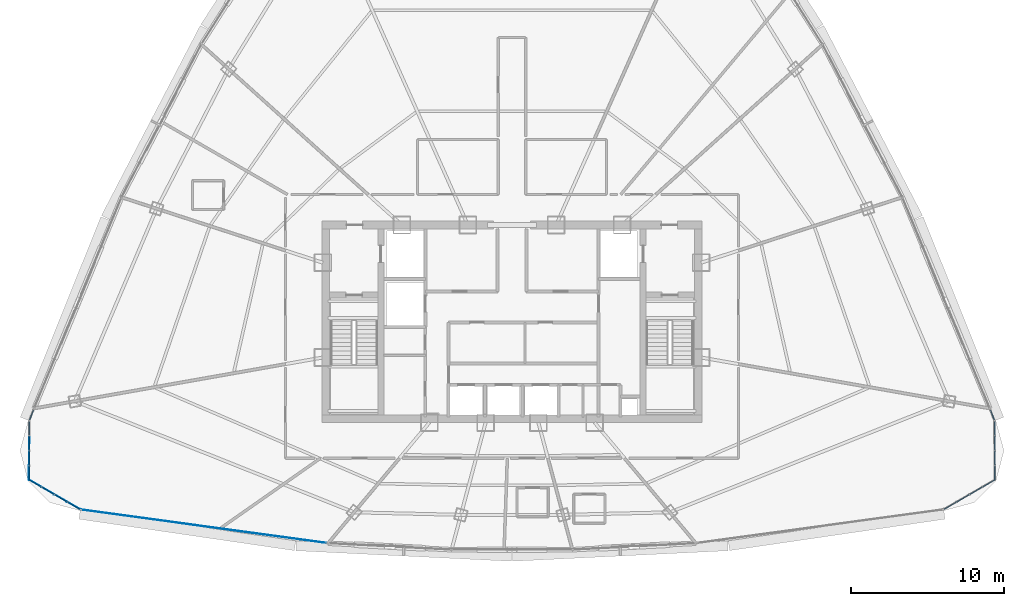
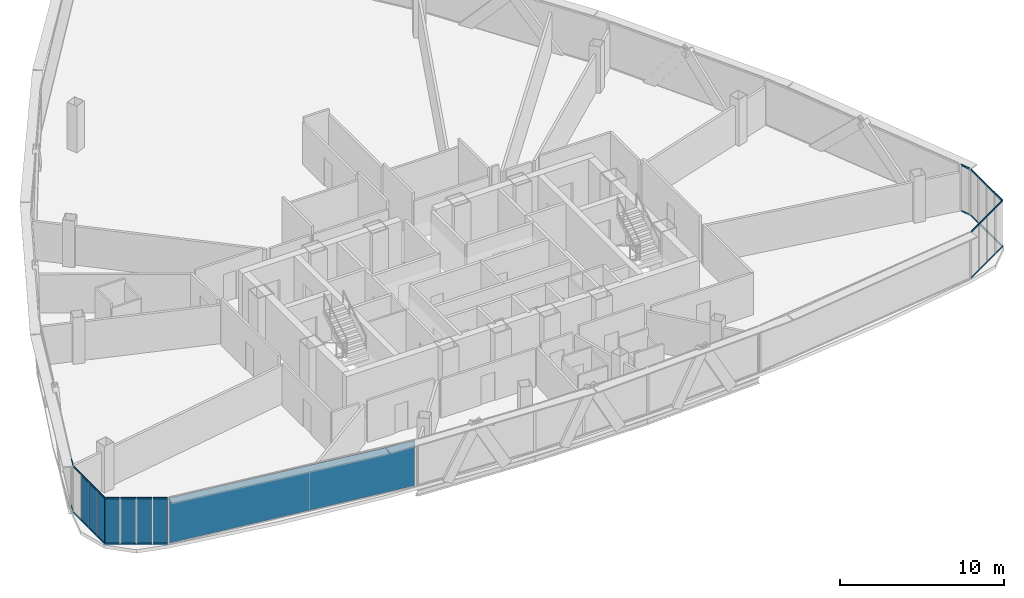
# One storey, part 29 of 40: 36 members, 8 plates, 7 elements without a shape of their own.
"""IFC4 building model written with IfcOpenShell, lengths in metres."""

import ifcopenshell
import ifcopenshell.guid

model = None  # the IFC model being written
_history = None  # IfcOwnerHistory: only IFC2X3 demands one
_inside = {}  # id of a spatial element -> (the spatial element, [elements in it])
_under = {}  # id of a project, library or spatial element -> (it, [spatial elements below it])
_declared = {}  # id of a project -> (the project, [libraries it declares])
_typed = {}  # id of a type object -> (the type object, [elements of that type])
_made_of = {}  # id of a material, layer set ... -> (it, [elements and type objects made of it])


def new_model(schema):
    """Start an empty IFC model of exactly this schema.

    Asked for "IFC4X3", IfcOpenShell would pick the latest addendum, in which some entities
    have other attributes; the version numbers below select the first issue.
    IFC2X3 requires an IfcOwnerHistory on every rooted entity: one is made here for all.
    """
    global model, _history
    if schema == "IFC4X3":
        model = ifcopenshell.file(schema_version=(4, 3, 0, 0))
    else:
        model = ifcopenshell.file(schema=schema)
    _inside.clear()
    _under.clear()
    _declared.clear()
    _typed.clear()
    _made_of.clear()
    _history = None
    if model.schema == "IFC2X3":
        org = make("IfcOrganization", Name="unknown")
        user = make(
            "IfcPersonAndOrganization",
            ThePerson=make("IfcPerson", FamilyName="unknown"),
            TheOrganization=org,
        )
        app = make(
            "IfcApplication",
            ApplicationDeveloper=org,
            Version="unknown",
            ApplicationFullName="unknown",
            ApplicationIdentifier="unknown",
        )
        _history = make(
            "IfcOwnerHistory",
            OwningUser=user,
            OwningApplication=app,
            ChangeAction="ADDED",
            CreationDate=0,
        )
    return model


def make(cls, **values):
    """One entity of the class cls with the attributes given. An attribute that is None is left unset."""
    return model.create_entity(
        cls, **{name: value for name, value in values.items() if value is not None}
    )


def rooted(cls, **values):
    """An entity with a GlobalId (a new one), such as an element, a storey or a relation."""
    return make(cls, GlobalId=ifcopenshell.guid.new(), OwnerHistory=_history, **values)


def si_unit(unit_type, name, prefix=None):
    """IfcSIUnit, for example si_unit("LENGTHUNIT", "METRE", prefix="MILLI")."""
    return make("IfcSIUnit", UnitType=unit_type, Prefix=prefix, Name=name)


def assignment(units):
    """IfcUnitAssignment: the units of a project."""
    return None if units is None else make("IfcUnitAssignment", Units=units)


def point(xyz):
    """IfcCartesianPoint."""
    return None if xyz is None else make("IfcCartesianPoint", Coordinates=xyz)


def direction(xyz):
    """IfcDirection."""
    return None if xyz is None else make("IfcDirection", DirectionRatios=xyz)


def frame(location, z_axis=None, x_axis=None):
    """IfcAxis2Placement3D, a coordinate frame: its origin and axes. An axis left out is left unset."""
    return make(
        "IfcAxis2Placement3D",
        Location=point(location),
        Axis=direction(z_axis),
        RefDirection=direction(x_axis),
    )


def frame_2d(location, x_axis=None):
    """IfcAxis2Placement2D, a coordinate frame in the plane: its origin and x axis."""
    return make(
        "IfcAxis2Placement2D", Location=point(location), RefDirection=direction(x_axis)
    )


def origin():
    """The frame at (0, 0, 0) with its axes left unset."""
    return frame((0.0, 0.0, 0.0))


def origin_2d():
    """The frame at (0, 0) in the plane with its x axis left unset."""
    return frame_2d((0.0, 0.0))


def place(relative_to, where):
    """IfcLocalPlacement: puts the frame where relative to a parent placement (None: the world)."""
    return make(
        "IfcLocalPlacement", PlacementRelTo=relative_to, RelativePlacement=where
    )


def context(
    kind, dimensions, precision=None, world=None, true_north=None, identifier=None
):
    """IfcGeometricRepresentationContext, for example the 3D "Model" context."""
    return make(
        "IfcGeometricRepresentationContext",
        ContextIdentifier=identifier,
        ContextType=kind,
        CoordinateSpaceDimension=dimensions,
        Precision=precision,
        WorldCoordinateSystem=world,
        TrueNorth=true_north,
    )


def subcontext(parent, identifier, kind, view, scale=None):
    """IfcGeometricRepresentationSubContext, for example "Body" below "Model"."""
    return make(
        "IfcGeometricRepresentationSubContext",
        ContextIdentifier=identifier,
        ContextType=kind,
        ParentContext=parent,
        TargetScale=scale,
        TargetView=view,
    )


def project(units=None, contexts=None):
    """IfcProject with its units and contexts."""
    return rooted(
        "IfcProject",
        Name="project",
        RepresentationContexts=contexts,
        UnitsInContext=assignment(units),
    )


def spatial(cls, under=None, at=None, **own):
    """A site, building, storey or space (cls), placed at a placement, below another one or the project."""
    s = rooted(cls, ObjectPlacement=at, **own)
    if under is not None:
        _under.setdefault(under.id(), (under, []))[1].append(s)
    return s


def profile(cls, at=None, kind="AREA", **sizes):
    """A parametric profile (cls). Its sizes go by their IFC names, for example OverallWidth=200.0."""
    return make(cls, ProfileType=kind, Position=at, **sizes)


def rectangle(**sizes):
    """IfcRectangleProfileDef."""
    return profile("IfcRectangleProfileDef", **sizes)


def hollow_rectangle(**sizes):
    """IfcRectangleHollowProfileDef."""
    return profile("IfcRectangleHollowProfileDef", **sizes)


def extrude(swept, where, along, depth):
    """IfcExtrudedAreaSolid: the profile swept, set in the frame where, extruded along a direction by depth."""
    return make(
        "IfcExtrudedAreaSolid",
        SweptArea=swept,
        Position=where,
        ExtrudedDirection=direction(along),
        Depth=depth,
    )


def shape(context_of_items, identifier, shape_type, items):
    """IfcShapeRepresentation: the items that make up one representation, for example the "Body"."""
    return make(
        "IfcShapeRepresentation",
        ContextOfItems=context_of_items,
        RepresentationIdentifier=identifier,
        RepresentationType=shape_type,
        Items=items,
    )


def source(mapping_origin, context_of_items, identifier, shape_type, items):
    """IfcRepresentationMap: a shape defined once, which mapped items show again and again."""
    return make(
        "IfcRepresentationMap",
        MappingOrigin=mapping_origin,
        MappedRepresentation=shape(context_of_items, identifier, shape_type, items),
    )


def transform(
    local_origin,
    x_axis=None,
    y_axis=None,
    z_axis=None,
    scale=None,
    scale2=None,
    scale3=None,
    uniform=True,
):
    """IfcCartesianTransformationOperator3D, or its non-uniform kind. x_axis, y_axis, z_axis: its Axis1, 2, 3."""
    if uniform:
        return make(
            "IfcCartesianTransformationOperator3D",
            Axis1=direction(x_axis),
            Axis2=direction(y_axis),
            LocalOrigin=point(local_origin),
            Scale=scale,
            Axis3=direction(z_axis),
        )
    return make(
        "IfcCartesianTransformationOperator3DnonUniform",
        Axis1=direction(x_axis),
        Axis2=direction(y_axis),
        LocalOrigin=point(local_origin),
        Scale=scale,
        Axis3=direction(z_axis),
        Scale2=scale2,
        Scale3=scale3,
    )


def mapped(mapping_source, mapping_target):
    """IfcMappedItem: shows the shape of a source again, moved by a transform."""
    return make(
        "IfcMappedItem", MappingSource=mapping_source, MappingTarget=mapping_target
    )


def material(Name=None, Category=None):
    """IfcMaterial."""
    return make("IfcMaterial", Name=Name, Category=Category)


def layer(
    of_material, thickness, ventilated=None, Name=None, Category=None, Priority=None
):
    """IfcMaterialLayer: one layer of a wall or slab, of a material (None: an air gap)."""
    return make(
        "IfcMaterialLayer",
        Material=of_material,
        LayerThickness=thickness,
        IsVentilated=ventilated,
        Name=Name,
        Category=Category,
        Priority=Priority,
    )


def layer_set(layers, Name=None):
    """IfcMaterialLayerSet."""
    return make("IfcMaterialLayerSet", MaterialLayers=layers, LayerSetName=Name)


def material_profile(
    of_material, cross_section, Name=None, Category=None, Priority=None
):
    """IfcMaterialProfile: a cross section and its material."""
    return make(
        "IfcMaterialProfile",
        Name=Name,
        Material=of_material,
        Profile=cross_section,
        Priority=Priority,
        Category=Category,
    )


def profile_set(profiles, Name=None, composite=None):
    """IfcMaterialProfileSet."""
    return make(
        "IfcMaterialProfileSet",
        Name=Name,
        MaterialProfiles=profiles,
        CompositeProfile=composite,
    )


def made_of(thing, what):
    """Note that an element or type object is made of a material, layer set ...; save() writes the relation."""
    if what is not None:
        _made_of.setdefault(what.id(), (what, []))[1].append(thing)
    return thing


def type_object(cls, material=None, **own):
    """A type object (cls), such as IfcWallType, which elements share."""
    return made_of(rooted(cls, **own), material)


def element(
    cls,
    number,
    at=None,
    inside=None,
    cuts=None,
    type_object=None,
    material=None,
    context=None,
    identifier="Body",
    shape_type=None,
    held_by="IfcProductDefinitionShape",
    body=None,
    shapes=None,
    **own,
):
    """One element of the class cls, such as IfcWall. Its Tag is "e" and its number.

    at: its placement. inside: the storey or other place that contains it. cuts: it is an
    opening in that element (IfcRelVoidsElement). A single representation is given by context,
    identifier, shape_type and body (its items); several are given by shapes. held_by: the class
    of the entity that holds the representations. save() writes the other relations.
    """
    e = rooted(cls, Tag="e%d" % number, ObjectPlacement=at, **own)
    if body is not None:
        shapes = [shape(context, identifier, shape_type, body)]
    if shapes is not None:
        e.Representation = make(held_by, Representations=shapes)
    if inside is not None:
        _inside.setdefault(inside.id(), (inside, []))[1].append(e)
    if cuts is not None:
        rooted(
            "IfcRelVoidsElement", RelatingBuildingElement=cuts, RelatedOpeningElement=e
        )
    if type_object is not None:
        _typed.setdefault(type_object.id(), (type_object, []))[1].append(e)
    return made_of(e, material)


def aggregate(whole, parts):
    """IfcRelAggregates: a whole, such as a stair, and the parts it consists of."""
    return rooted("IfcRelAggregates", RelatingObject=whole, RelatedObjects=parts)


def save(model, path):
    """Write the relations noted so far, then the file.

    IfcRelAggregates (storeys below a building ...), IfcRelContainedInSpatialStructure (elements
    in a storey), IfcRelDefinesByType, IfcRelAssociatesMaterial and IfcRelDeclares: one each for
    every whole, place, type object, material and project.
    """
    for whole, parts in _under.values():
        aggregate(whole, parts)
    for where, things in _inside.values():
        rooted(
            "IfcRelContainedInSpatialStructure",
            RelatedElements=things,
            RelatingStructure=where,
        )
    for kind, things in _typed.values():
        rooted("IfcRelDefinesByType", RelatedObjects=things, RelatingType=kind)
    for what, things in _made_of.values():
        rooted("IfcRelAssociatesMaterial", RelatedObjects=things, RelatingMaterial=what)
    for by, libraries in _declared.values():
        rooted("IfcRelDeclares", RelatingContext=by, RelatedDefinitions=libraries)
    model.write(path)


model = new_model("IFC4")

# Units and contexts
model_context = context("Model", 3, precision=1e-05, world=origin(), true_north=direction((0.0, 1.0)))
body_context = subcontext(model_context, "Body", "Model", "MODEL_VIEW")
ifc_project = project(units=[si_unit("LENGTHUNIT", "METRE"), si_unit("AREAUNIT", "SQUARE_METRE"), si_unit("VOLUMEUNIT", "CUBIC_METRE"), si_unit("PLANEANGLEUNIT", "RADIAN"), si_unit("MASSUNIT", "GRAM", prefix="KILO"), si_unit("THERMODYNAMICTEMPERATUREUNIT", "KELVIN"), si_unit("POWERUNIT", "WATT")], contexts=[model_context])

# Site, building, storey
site_placement = place(None, origin())
site = spatial("IfcSite", under=ifc_project, at=site_placement, CompositionType="ELEMENT")
building_placement = place(site_placement, origin())
building = spatial("IfcBuilding", under=site, at=building_placement, Name="Yunzhuo Pagoda Commons", CompositionType="ELEMENT")
storey_placement = place(building_placement, frame((0.0, 0.0, 292.47998046875)))
storey = spatial("IfcBuildingStorey", under=building, at=storey_placement, Name="L73", CompositionType="ELEMENT", Elevation=292.47998046875)

# Curtain wall, members
ifc_material_1 = material(Name="Anodized aluminium 6063-T6", Category="aluminium")
ifc_layer_1 = layer(ifc_material_1, 0.139892578125)
ifc_layer_set_1 = layer_set([ifc_layer_1], Name="Anodized aluminium 6063-T6")
curtain_wall_type_1 = type_object("IfcCurtainWallType", Name="CW-HI High-Zone Ribbon Curtain Wall", PredefinedType="NOTDEFINED", material=ifc_layer_set_1)
curtain_wall_1_placement = place(storey_placement, origin())
curtain_wall_1 = element("IfcCurtainWall", 1, at=curtain_wall_1_placement, inside=storey, type_object=curtain_wall_type_1, Name="L73 curtain wall CW-L73-F2B1", PredefinedType="NOTDEFINED")
ifc_material_profile_1 = material_profile(ifc_material_1, hollow_rectangle(XDim=0.054931640625, YDim=0.1201171875, WallThickness=0.00341796875, at=origin_2d()), Name="Anodized aluminium 6063-T6")
ifc_profile_set_1 = profile_set([ifc_material_profile_1], Name="Anodized aluminium 6063-T6")
member_type_1 = type_object("IfcMemberType", Name="CW-HI-T Transom RHS 120x55x3.5", PredefinedType="USERDEFINED", material=ifc_profile_set_1)
shared_shape_1 = source(origin(), body_context, "Body", "SweptSolid", [
    extrude(hollow_rectangle(XDim=0.054931640625, YDim=0.1201171875, WallThickness=0.00341796875, at=origin_2d()), origin(), (0.0, 0.0, 1.0), 0.668701171875),
])
member_1_placement = place(storey_placement, frame((79.623291015625, 27.426513671875, 0.027587890625), z_axis=(-0.362499110284, 0.931984117377, 0.0), x_axis=(-0.931984117377, -0.362499110284, 0.0)))
member_1 = element("IfcMember", 2, at=member_1_placement, type_object=member_type_1, Name="CW transom 1.1", ObjectType="TRANSOM", PredefinedType="USERDEFINED", context=body_context, shape_type="MappedRepresentation", body=[
    mapped(shared_shape_1, transform((0.0, 0.0, 0.0), scale=1.0)),
])
member_2_placement = place(storey_placement, frame((79.623291015625, 27.426513671875, 3.442626953125), z_axis=(-0.362499110284, 0.931984117377, 0.0), x_axis=(-0.931984117377, -0.362499110284, 0.0)))
member_2 = element("IfcMember", 3, at=member_2_placement, type_object=member_type_1, Name="CW transom 1.2", ObjectType="TRANSOM", PredefinedType="USERDEFINED", context=body_context, shape_type="MappedRepresentation", body=[
    mapped(shared_shape_1, transform((0.0, 0.0, 0.0), scale=1.0)),
])
aggregate(curtain_wall_1, [member_1, member_2])

curtain_wall_2_placement = place(storey_placement, origin())
curtain_wall_2 = element("IfcCurtainWall", 4, at=curtain_wall_2_placement, inside=storey, type_object=curtain_wall_type_1, Name="L73 curtain wall CW-L73-F3B5", PredefinedType="NOTDEFINED")
member_3_placement = place(storey_placement, frame((16.619140625, 28.0498046875, 0.027587890625), z_axis=(-0.362499110284, -0.931984117377, 0.0), x_axis=(0.931984117377, -0.362499110284, 0.0)))
member_3 = element("IfcMember", 5, at=member_3_placement, type_object=member_type_1, Name="CW transom 1.1", ObjectType="TRANSOM", PredefinedType="USERDEFINED", context=body_context, shape_type="MappedRepresentation", body=[
    mapped(shared_shape_1, transform((0.0, 0.0, 0.0), scale=1.0)),
])
member_4_placement = place(storey_placement, frame((16.619140625, 28.0498046875, 3.442626953125), z_axis=(-0.362499110284, -0.931984117377, 0.0), x_axis=(0.931984117377, -0.362499110284, 0.0)))
member_4 = element("IfcMember", 6, at=member_4_placement, type_object=member_type_1, Name="CW transom 1.2", ObjectType="TRANSOM", PredefinedType="USERDEFINED", context=body_context, shape_type="MappedRepresentation", body=[
    mapped(shared_shape_1, transform((0.0, 0.0, 0.0), scale=1.0)),
])
aggregate(curtain_wall_2, [member_3, member_4])

ifc_layer_2 = layer(ifc_material_1, 0.1298828125)
ifc_layer_set_2 = layer_set([ifc_layer_2], Name="Anodized aluminium 6063-T6")
curtain_wall_type_2 = type_object("IfcCurtainWallType", Name="CW-VTX Rounded Corner Curtain Wall", PredefinedType="NOTDEFINED", material=ifc_layer_set_2)
curtain_wall_3_placement = place(storey_placement, origin())
curtain_wall_3 = element("IfcCurtainWall", 7, at=curtain_wall_3_placement, inside=storey, type_object=curtain_wall_type_2, Name="L73 curtain wall CW-L73-VTX1S1", PredefinedType="NOTDEFINED")
ifc_material_profile_2 = material_profile(ifc_material_1, hollow_rectangle(XDim=0.054931640625, YDim=0.1201171875, WallThickness=0.00341796875, at=origin_2d()), Name="Anodized aluminium 6063-T6")
ifc_profile_set_2 = profile_set([ifc_material_profile_2], Name="Anodized aluminium 6063-T6")
member_type_2 = type_object("IfcMemberType", Name="CW-VTX-T Transom RHS 120x55x3.5", PredefinedType="USERDEFINED", material=ifc_profile_set_2)
shared_shape_2 = source(origin(), body_context, "Body", "SweptSolid", [
    extrude(hollow_rectangle(XDim=0.054931640625, YDim=0.1201171875, WallThickness=0.00341796875, at=origin_2d()), origin(), (0.0, 0.0, 1.0), 0.8994140625),
])
member_5_placement = place(storey_placement, frame((16.354736328125, 27.3154296875, 0.027587890625), z_axis=(-0.00325731171, -0.999994694946, 0.0), x_axis=(0.999994694946, -0.00325731171, 0.0)))
member_5 = element("IfcMember", 8, at=member_5_placement, type_object=member_type_2, Name="CW transom 1.1", ObjectType="TRANSOM", PredefinedType="USERDEFINED", context=body_context, shape_type="MappedRepresentation", body=[
    mapped(shared_shape_2, transform((0.0, 0.0, 0.0), scale=1.0)),
])
member_6_placement = place(storey_placement, frame((16.354736328125, 27.3154296875, 3.442626953125), z_axis=(-0.00325731171, -0.999994694946, 0.0), x_axis=(0.999994694946, -0.00325731171, 0.0)))
member_6 = element("IfcMember", 9, at=member_6_placement, type_object=member_type_2, Name="CW transom 1.2", ObjectType="TRANSOM", PredefinedType="USERDEFINED", context=body_context, shape_type="MappedRepresentation", body=[
    mapped(shared_shape_2, transform((0.0, 0.0, 0.0), scale=1.0)),
])
member_7_placement = place(storey_placement, frame((16.34423828125, 24.397216796875, 0.027587890625), z_axis=(-0.00325731171, -0.999994694946, 0.0), x_axis=(0.999994694946, -0.00325731171, 0.0)))
member_7 = element("IfcMember", 10, at=member_7_placement, type_object=member_type_2, Name="CW transom 4.1", ObjectType="TRANSOM", PredefinedType="USERDEFINED", context=body_context, shape_type="MappedRepresentation", body=[
    mapped(shared_shape_2, transform((0.0, 0.0, 0.0), scale=1.0)),
])
member_8_placement = place(storey_placement, frame((16.34423828125, 24.397216796875, 3.442626953125), z_axis=(-0.00325731171, -0.999994694946, 0.0), x_axis=(0.999994694946, -0.00325731171, 0.0)))
member_8 = element("IfcMember", 11, at=member_8_placement, type_object=member_type_2, Name="CW transom 4.2", ObjectType="TRANSOM", PredefinedType="USERDEFINED", context=body_context, shape_type="MappedRepresentation", body=[
    mapped(shared_shape_2, transform((0.0, 0.0, 0.0), scale=1.0)),
])

curtain_wall_4_placement = place(storey_placement, origin())
curtain_wall_4 = element("IfcCurtainWall", 12, at=curtain_wall_4_placement, inside=storey, type_object=curtain_wall_type_2, Name="L73 curtain wall CW-L73-VTX1S2", PredefinedType="NOTDEFINED")
member_9_placement = place(storey_placement, frame((16.348388671875, 23.484619140625, 0.027587890625), z_axis=(0.865574911802, -0.500779464495, 0.0), x_axis=(0.500779464495, 0.865574911802, 0.0)))
member_9 = element("IfcMember", 13, at=member_9_placement, type_object=member_type_2, Name="CW transom 1.1", ObjectType="TRANSOM", PredefinedType="USERDEFINED", context=body_context, shape_type="MappedRepresentation", body=[
    mapped(shared_shape_2, transform((0.0, 0.0, 0.0), scale=1.0)),
])
member_10_placement = place(storey_placement, frame((16.348388671875, 23.484619140625, 3.442626953125), z_axis=(0.865574911802, -0.500779464495, 0.0), x_axis=(0.500779464495, 0.865574911802, 0.0)))
member_10 = element("IfcMember", 14, at=member_10_placement, type_object=member_type_2, Name="CW transom 1.2", ObjectType="TRANSOM", PredefinedType="USERDEFINED", context=body_context, shape_type="MappedRepresentation", body=[
    mapped(shared_shape_2, transform((0.0, 0.0, 0.0), scale=1.0)),
])

curtain_wall_5_placement = place(storey_placement, origin())
curtain_wall_5 = element("IfcCurtainWall", 15, at=curtain_wall_5_placement, inside=storey, type_object=curtain_wall_type_2, Name="L73 curtain wall CW-L73-VTX2S1", PredefinedType="NOTDEFINED")
member_11_placement = place(storey_placement, frame((78.873046875, 23.0341796875, 0.027587890625), z_axis=(0.865574911802, 0.500779464495, 0.0), x_axis=(-0.500779464495, 0.865574911802, 0.0)))
member_11 = element("IfcMember", 16, at=member_11_placement, type_object=member_type_2, Name="CW transom 4.1", ObjectType="TRANSOM", PredefinedType="USERDEFINED", context=body_context, shape_type="MappedRepresentation", body=[
    mapped(shared_shape_2, transform((0.0, 0.0, 0.0), scale=1.0)),
])
member_12_placement = place(storey_placement, frame((78.873046875, 23.0341796875, 3.442626953125), z_axis=(0.865574911802, 0.500779464495, 0.0), x_axis=(-0.500779464495, 0.865574911802, 0.0)))
member_12 = element("IfcMember", 17, at=member_12_placement, type_object=member_type_2, Name="CW transom 4.2", ObjectType="TRANSOM", PredefinedType="USERDEFINED", context=body_context, shape_type="MappedRepresentation", body=[
    mapped(shared_shape_2, transform((0.0, 0.0, 0.0), scale=1.0)),
])

curtain_wall_6_placement = place(storey_placement, origin())
curtain_wall_6 = element("IfcCurtainWall", 18, at=curtain_wall_6_placement, inside=storey, type_object=curtain_wall_type_2, Name="L73 curtain wall CW-L73-VTX2S2", PredefinedType="NOTDEFINED")
member_13_placement = place(storey_placement, frame((79.6591796875, 23.497802734375, 0.027587890625), z_axis=(-0.003800189715, 0.999992779253, 0.0), x_axis=(-0.999992779253, -0.003800189715, 0.0)))
member_13 = element("IfcMember", 19, at=member_13_placement, type_object=member_type_2, Name="CW transom 1.1", ObjectType="TRANSOM", PredefinedType="USERDEFINED", context=body_context, shape_type="MappedRepresentation", body=[
    mapped(shared_shape_2, transform((0.0, 0.0, 0.0), scale=1.0)),
])
member_14_placement = place(storey_placement, frame((79.6591796875, 23.497802734375, 3.442626953125), z_axis=(-0.003800189715, 0.999992779253, 0.0), x_axis=(-0.999992779253, -0.003800189715, 0.0)))
member_14 = element("IfcMember", 20, at=member_14_placement, type_object=member_type_2, Name="CW transom 1.2", ObjectType="TRANSOM", PredefinedType="USERDEFINED", context=body_context, shape_type="MappedRepresentation", body=[
    mapped(shared_shape_2, transform((0.0, 0.0, 0.0), scale=1.0)),
])
member_15_placement = place(storey_placement, frame((79.648681640625, 26.416015625, 0.027587890625), z_axis=(-0.003800189715, 0.999992779253, 0.0), x_axis=(-0.999992779253, -0.003800189715, 0.0)))
member_15 = element("IfcMember", 21, at=member_15_placement, type_object=member_type_2, Name="CW transom 4.1", ObjectType="TRANSOM", PredefinedType="USERDEFINED", context=body_context, shape_type="MappedRepresentation", body=[
    mapped(shared_shape_2, transform((0.0, 0.0, 0.0), scale=1.0)),
])
member_16_placement = place(storey_placement, frame((79.648681640625, 26.416015625, 3.442626953125), z_axis=(-0.003800189715, 0.999992779253, 0.0), x_axis=(-0.999992779253, -0.003800189715, 0.0)))
member_16 = element("IfcMember", 22, at=member_16_placement, type_object=member_type_2, Name="CW transom 4.2", ObjectType="TRANSOM", PredefinedType="USERDEFINED", context=body_context, shape_type="MappedRepresentation", body=[
    mapped(shared_shape_2, transform((0.0, 0.0, 0.0), scale=1.0)),
])

# Member
shared_shape_3 = source(origin(), body_context, "Body", "SweptSolid", [
    extrude(hollow_rectangle(XDim=0.054931640625, YDim=0.1201171875, WallThickness=0.00341796875, at=origin_2d()), origin(), (0.0, 0.0, 1.0), 0.9267578125),
])
member_17_placement = place(storey_placement, frame((16.351318359375, 26.36083984375, 0.027587890625), z_axis=(-0.003688067647, -0.999993199055, 0.0), x_axis=(0.999993199055, -0.003688067647, 0.0)))
member_17 = element("IfcMember", 23, at=member_17_placement, type_object=member_type_2, Name="CW transom 2.1", ObjectType="TRANSOM", PredefinedType="USERDEFINED", context=body_context, shape_type="MappedRepresentation", body=[
    mapped(shared_shape_3, transform((0.0, 0.0, 0.0), scale=1.0)),
])

member_18_placement = place(storey_placement, frame((16.351318359375, 26.36083984375, 3.442626953125), z_axis=(-0.003688067647, -0.999993199055, 0.0), x_axis=(0.999993199055, -0.003688067647, 0.0)))
member_18 = element("IfcMember", 24, at=member_18_placement, type_object=member_type_2, Name="CW transom 2.2", ObjectType="TRANSOM", PredefinedType="USERDEFINED", context=body_context, shape_type="MappedRepresentation", body=[
    mapped(shared_shape_3, transform((0.0, 0.0, 0.0), scale=1.0)),
])

member_19_placement = place(storey_placement, frame((16.34765625, 25.37890625, 0.027587890625), z_axis=(-0.003424637452, -0.999994135912, 0.0), x_axis=(0.999994135912, -0.003424637452, 0.0)))
member_19 = element("IfcMember", 25, at=member_19_placement, type_object=member_type_2, Name="CW transom 3.1", ObjectType="TRANSOM", PredefinedType="USERDEFINED", context=body_context, shape_type="MappedRepresentation", body=[
    mapped(shared_shape_3, transform((0.0, 0.0, 0.0), scale=1.0)),
])

member_20_placement = place(storey_placement, frame((16.34765625, 25.37890625, 3.442626953125), z_axis=(-0.003424637452, -0.999994135912, 0.0), x_axis=(0.999994135912, -0.003424637452, 0.0)))
member_20 = element("IfcMember", 26, at=member_20_placement, type_object=member_type_2, Name="CW transom 3.2", ObjectType="TRANSOM", PredefinedType="USERDEFINED", context=body_context, shape_type="MappedRepresentation", body=[
    mapped(shared_shape_3, transform((0.0, 0.0, 0.0), scale=1.0)),
])

member_21_placement = place(storey_placement, frame((17.1748046875, 23.006591796875, 0.027587890625), z_axis=(0.865294005039, -0.501264685415, 0.0), x_axis=(0.501264685415, 0.865294005039, 0.0)))
member_21 = element("IfcMember", 27, at=member_21_placement, type_object=member_type_2, Name="CW transom 2.1", ObjectType="TRANSOM", PredefinedType="USERDEFINED", context=body_context, shape_type="MappedRepresentation", body=[
    mapped(shared_shape_3, transform((0.0, 0.0, 0.0), scale=1.0)),
])

member_22_placement = place(storey_placement, frame((17.1748046875, 23.006591796875, 3.442626953125), z_axis=(0.865294005039, -0.501264685415, 0.0), x_axis=(0.501264685415, 0.865294005039, 0.0)))
member_22 = element("IfcMember", 28, at=member_22_placement, type_object=member_type_2, Name="CW transom 2.2", ObjectType="TRANSOM", PredefinedType="USERDEFINED", context=body_context, shape_type="MappedRepresentation", body=[
    mapped(shared_shape_3, transform((0.0, 0.0, 0.0), scale=1.0)),
])

member_23_placement = place(storey_placement, frame((78.023681640625, 22.5419921875, 0.027587890625), z_axis=(0.865294005039, 0.501264685415, 0.0), x_axis=(-0.501264685415, 0.865294005039, 0.0)))
member_23 = element("IfcMember", 29, at=member_23_placement, type_object=member_type_2, Name="CW transom 3.1", ObjectType="TRANSOM", PredefinedType="USERDEFINED", context=body_context, shape_type="MappedRepresentation", body=[
    mapped(shared_shape_3, transform((0.0, 0.0, 0.0), scale=1.0)),
])

member_24_placement = place(storey_placement, frame((78.023681640625, 22.5419921875, 3.442626953125), z_axis=(0.865294005039, 0.501264685415, 0.0), x_axis=(-0.501264685415, 0.865294005039, 0.0)))
member_24 = element("IfcMember", 30, at=member_24_placement, type_object=member_type_2, Name="CW transom 3.2", ObjectType="TRANSOM", PredefinedType="USERDEFINED", context=body_context, shape_type="MappedRepresentation", body=[
    mapped(shared_shape_3, transform((0.0, 0.0, 0.0), scale=1.0)),
])

member_25_placement = place(storey_placement, frame((79.655517578125, 24.4521484375, 0.027587890625), z_axis=(-0.003424637452, 0.999994135912, 0.0), x_axis=(-0.999994135912, -0.003424637452, 0.0)))
member_25 = element("IfcMember", 31, at=member_25_placement, type_object=member_type_2, Name="CW transom 2.1", ObjectType="TRANSOM", PredefinedType="USERDEFINED", context=body_context, shape_type="MappedRepresentation", body=[
    mapped(shared_shape_3, transform((0.0, 0.0, 0.0), scale=1.0)),
])

member_26_placement = place(storey_placement, frame((79.655517578125, 24.4521484375, 3.442626953125), z_axis=(-0.003424637452, 0.999994135912, 0.0), x_axis=(-0.999994135912, -0.003424637452, 0.0)))
member_26 = element("IfcMember", 32, at=member_26_placement, type_object=member_type_2, Name="CW transom 2.2", ObjectType="TRANSOM", PredefinedType="USERDEFINED", context=body_context, shape_type="MappedRepresentation", body=[
    mapped(shared_shape_3, transform((0.0, 0.0, 0.0), scale=1.0)),
])

member_27_placement = place(storey_placement, frame((79.652099609375, 25.43408203125, 0.027587890625), z_axis=(-0.003688067647, 0.999993199055, 0.0), x_axis=(-0.999993199055, -0.003688067647, 0.0)))
member_27 = element("IfcMember", 33, at=member_27_placement, type_object=member_type_2, Name="CW transom 3.1", ObjectType="TRANSOM", PredefinedType="USERDEFINED", context=body_context, shape_type="MappedRepresentation", body=[
    mapped(shared_shape_3, transform((0.0, 0.0, 0.0), scale=1.0)),
])

member_28_placement = place(storey_placement, frame((79.652099609375, 25.43408203125, 3.442626953125), z_axis=(-0.003688067647, 0.999993199055, 0.0), x_axis=(-0.999993199055, -0.003688067647, 0.0)))
member_28 = element("IfcMember", 34, at=member_28_placement, type_object=member_type_2, Name="CW transom 3.2", ObjectType="TRANSOM", PredefinedType="USERDEFINED", context=body_context, shape_type="MappedRepresentation", body=[
    mapped(shared_shape_3, transform((0.0, 0.0, 0.0), scale=1.0)),
])

aggregate(curtain_wall_6, [member_13, member_14, member_25, member_26, member_27, member_28, member_15, member_16])

shared_shape_4 = source(origin(), body_context, "Body", "SweptSolid", [
    extrude(hollow_rectangle(XDim=0.054931640625, YDim=0.1201171875, WallThickness=0.00341796875, at=origin_2d()), origin(), (0.0, 0.0, 1.0), 0.927001953125),
])
member_29_placement = place(storey_placement, frame((18.024169921875, 22.514404296875, 0.027587890625), z_axis=(0.865474367898, -0.500953209903, 0.0), x_axis=(0.500953209903, 0.865474367898, 0.0)))
member_29 = element("IfcMember", 35, at=member_29_placement, type_object=member_type_2, Name="CW transom 3.1", ObjectType="TRANSOM", PredefinedType="USERDEFINED", context=body_context, shape_type="MappedRepresentation", body=[
    mapped(shared_shape_4, transform((0.0, 0.0, 0.0), scale=1.0)),
])

member_30_placement = place(storey_placement, frame((18.024169921875, 22.514404296875, 3.442626953125), z_axis=(0.865474367898, -0.500953209903, 0.0), x_axis=(0.500953209903, 0.865474367898, 0.0)))
member_30 = element("IfcMember", 36, at=member_30_placement, type_object=member_type_2, Name="CW transom 3.2", ObjectType="TRANSOM", PredefinedType="USERDEFINED", context=body_context, shape_type="MappedRepresentation", body=[
    mapped(shared_shape_4, transform((0.0, 0.0, 0.0), scale=1.0)),
])

member_31_placement = place(storey_placement, frame((77.173583984375, 22.050048828125, 0.027587890625), z_axis=(0.865474367898, 0.500953209903, 0.0), x_axis=(-0.500953209903, 0.865474367898, 0.0)))
member_31 = element("IfcMember", 37, at=member_31_placement, type_object=member_type_2, Name="CW transom 2.1", ObjectType="TRANSOM", PredefinedType="USERDEFINED", context=body_context, shape_type="MappedRepresentation", body=[
    mapped(shared_shape_4, transform((0.0, 0.0, 0.0), scale=1.0)),
])

member_32_placement = place(storey_placement, frame((77.173583984375, 22.050048828125, 3.442626953125), z_axis=(0.865474367898, 0.500953209903, 0.0), x_axis=(-0.500953209903, 0.865474367898, 0.0)))
member_32 = element("IfcMember", 38, at=member_32_placement, type_object=member_type_2, Name="CW transom 2.2", ObjectType="TRANSOM", PredefinedType="USERDEFINED", context=body_context, shape_type="MappedRepresentation", body=[
    mapped(shared_shape_4, transform((0.0, 0.0, 0.0), scale=1.0)),
])

shared_shape_5 = source(origin(), body_context, "Body", "SweptSolid", [
    extrude(hollow_rectangle(XDim=0.054931640625, YDim=0.1201171875, WallThickness=0.00341796875, at=origin_2d()), origin(), (0.0, 0.0, 1.0), 0.899169921875),
])
member_33_placement = place(storey_placement, frame((18.8740234375, 22.0224609375, 0.027587890625), z_axis=(0.865624510465, -0.500693725627, 0.0), x_axis=(0.500693725627, 0.865624510465, 0.0)))
member_33 = element("IfcMember", 39, at=member_33_placement, type_object=member_type_2, Name="CW transom 4.1", ObjectType="TRANSOM", PredefinedType="USERDEFINED", context=body_context, shape_type="MappedRepresentation", body=[
    mapped(shared_shape_5, transform((0.0, 0.0, 0.0), scale=1.0)),
])

member_34_placement = place(storey_placement, frame((18.8740234375, 22.0224609375, 3.442626953125), z_axis=(0.865624510465, -0.500693725627, 0.0), x_axis=(0.500693725627, 0.865624510465, 0.0)))
member_34 = element("IfcMember", 40, at=member_34_placement, type_object=member_type_2, Name="CW transom 4.2", ObjectType="TRANSOM", PredefinedType="USERDEFINED", context=body_context, shape_type="MappedRepresentation", body=[
    mapped(shared_shape_5, transform((0.0, 0.0, 0.0), scale=1.0)),
])

member_35_placement = place(storey_placement, frame((76.34765625, 21.572265625, 0.027587890625), z_axis=(0.865624510465, 0.500693725627, 0.0), x_axis=(-0.500693725627, 0.865624510465, 0.0)))
member_35 = element("IfcMember", 41, at=member_35_placement, type_object=member_type_2, Name="CW transom 1.1", ObjectType="TRANSOM", PredefinedType="USERDEFINED", context=body_context, shape_type="MappedRepresentation", body=[
    mapped(shared_shape_5, transform((0.0, 0.0, 0.0), scale=1.0)),
])

member_36_placement = place(storey_placement, frame((76.34765625, 21.572265625, 3.442626953125), z_axis=(0.865624510465, 0.500693725627, 0.0), x_axis=(-0.500693725627, 0.865624510465, 0.0)))
member_36 = element("IfcMember", 42, at=member_36_placement, type_object=member_type_2, Name="CW transom 1.2", ObjectType="TRANSOM", PredefinedType="USERDEFINED", context=body_context, shape_type="MappedRepresentation", body=[
    mapped(shared_shape_5, transform((0.0, 0.0, 0.0), scale=1.0)),
])

aggregate(curtain_wall_5, [member_35, member_36, member_31, member_32, member_23, member_24, member_11, member_12])

# Curtain wall, plate
curtain_wall_7_placement = place(storey_placement, origin())
curtain_wall_7 = element("IfcCurtainWall", 43, at=curtain_wall_7_placement, inside=storey, type_object=curtain_wall_type_1, Name="L73 curtain wall CW-L73-F1B1", PredefinedType="NOTDEFINED")
ifc_material_2 = material(Name="Tempered low-e double glazing", Category="glass")
ifc_layer_3 = layer(ifc_material_2, 0.02587890625)
ifc_layer_set_3 = layer_set([ifc_layer_3], Name="Tempered low-e double glazing")
plate_type_1 = type_object("IfcPlateType", Name="CW-HI-P Low-E Double Glazing 26", PredefinedType="CURTAIN_PANEL", material=ifc_layer_set_3)
shared_shape_6 = source(origin(), body_context, "Body", "SweptSolid", [
    extrude(rectangle(XDim=16.199951171875, YDim=0.028076171875, at=origin_2d()), origin(), (0.0, 0.0, 1.0), 3.360107421875),
])
plate_1_placement = place(storey_placement, frame((27.785400390625, 20.444091796875, 0.05517578125), z_axis=(0.0, 0.0, 1.0), x_axis=(0.99086548222, -0.134853980826, 0.0)))
plate_1 = element("IfcPlate", 44, at=plate_1_placement, type_object=plate_type_1, Name="CW panel 1.1", PredefinedType="CURTAIN_PANEL", context=body_context, shape_type="MappedRepresentation", body=[
    mapped(shared_shape_6, transform((0.0, 0.0, 0.0), scale=1.0)),
])
aggregate(curtain_wall_7, [plate_1])

# Plate
ifc_layer_4 = layer(ifc_material_2, 0.02587890625)
ifc_layer_set_4 = layer_set([ifc_layer_4], Name="Tempered low-e double glazing")
plate_type_2 = type_object("IfcPlateType", Name="CW-VTX-P Low-E Double Glazing 26", PredefinedType="CURTAIN_PANEL", material=ifc_layer_set_4)
shared_shape_7 = source(origin(), body_context, "Body", "SweptSolid", [
    extrude(rectangle(XDim=0.8994140625, YDim=0.028076171875, at=origin_2d()), origin(), (0.0, 0.0, 1.0), 3.360107421875),
])
plate_2_placement = place(storey_placement, frame((16.342529296875, 23.947509765625, 0.05517578125), z_axis=(0.0, 0.0, 1.0), x_axis=(-0.003589955472, -0.999993556089, 0.0)))
plate_2 = element("IfcPlate", 45, at=plate_2_placement, type_object=plate_type_2, Name="CW panel 4.1", PredefinedType="CURTAIN_PANEL", context=body_context, shape_type="MappedRepresentation", body=[
    mapped(shared_shape_7, transform((0.0, 0.0, 0.0), scale=1.0)),
])

plate_3_placement = place(storey_placement, frame((16.73779296875, 23.25927734375, 0.05517578125), z_axis=(0.0, 0.0, 1.0), x_axis=(0.86543732532, -0.501017201245, 0.0)))
plate_3 = element("IfcPlate", 46, at=plate_3_placement, type_object=plate_type_2, Name="CW panel 1.1", PredefinedType="CURTAIN_PANEL", context=body_context, shape_type="MappedRepresentation", body=[
    mapped(shared_shape_7, transform((0.0, 0.0, 0.0), scale=1.0)),
])

plate_4_placement = place(storey_placement, frame((19.26318359375, 21.79736328125, 0.05517578125), z_axis=(0.0, 0.0, 1.0), x_axis=(0.86543732532, -0.501017201245, 0.0)))
plate_4 = element("IfcPlate", 47, at=plate_4_placement, type_object=plate_type_2, Name="CW panel 4.1", PredefinedType="CURTAIN_PANEL", context=body_context, shape_type="MappedRepresentation", body=[
    mapped(shared_shape_7, transform((0.0, 0.0, 0.0), scale=1.0)),
])

shared_shape_8 = source(origin(), body_context, "Body", "SweptSolid", [
    extrude(rectangle(XDim=0.927001953125, YDim=0.028076171875, at=origin_2d()), origin(), (0.0, 0.0, 1.0), 3.360107421875),
])
plate_5_placement = place(storey_placement, frame((16.349609375, 25.8974609375, 0.05517578125), z_axis=(0.0, 0.0, 1.0), x_axis=(-0.003589955472, -0.999993556089, 0.0)))
plate_5 = element("IfcPlate", 48, at=plate_5_placement, type_object=plate_type_2, Name="CW panel 2.1", PredefinedType="CURTAIN_PANEL", context=body_context, shape_type="MappedRepresentation", body=[
    mapped(shared_shape_8, transform((0.0, 0.0, 0.0), scale=1.0)),
])

plate_6_placement = place(storey_placement, frame((16.34619140625, 24.91552734375, 0.05517578125), z_axis=(0.0, 0.0, 1.0), x_axis=(-0.003589955472, -0.999993556089, 0.0)))
plate_6 = element("IfcPlate", 49, at=plate_6_placement, type_object=plate_type_2, Name="CW panel 3.1", PredefinedType="CURTAIN_PANEL", context=body_context, shape_type="MappedRepresentation", body=[
    mapped(shared_shape_8, transform((0.0, 0.0, 0.0), scale=1.0)),
])

aggregate(curtain_wall_3, [member_5, member_6, member_17, member_18, plate_5, member_19, member_20, plate_6, member_7, member_8, plate_2])

plate_7_placement = place(storey_placement, frame((17.57568359375, 22.774169921875, 0.05517578125), z_axis=(0.0, 0.0, 1.0), x_axis=(0.86543732532, -0.501017201245, 0.0)))
plate_7 = element("IfcPlate", 50, at=plate_7_placement, type_object=plate_type_2, Name="CW panel 2.1", PredefinedType="CURTAIN_PANEL", context=body_context, shape_type="MappedRepresentation", body=[
    mapped(shared_shape_8, transform((0.0, 0.0, 0.0), scale=1.0)),
])

plate_8_placement = place(storey_placement, frame((18.42529296875, 22.2822265625, 0.05517578125), z_axis=(0.0, 0.0, 1.0), x_axis=(0.86543732532, -0.501017201245, 0.0)))
plate_8 = element("IfcPlate", 51, at=plate_8_placement, type_object=plate_type_2, Name="CW panel 3.1", PredefinedType="CURTAIN_PANEL", context=body_context, shape_type="MappedRepresentation", body=[
    mapped(shared_shape_8, transform((0.0, 0.0, 0.0), scale=1.0)),
])

aggregate(curtain_wall_4, [member_9, member_10, plate_3, member_21, member_22, plate_7, member_29, member_30, plate_8, member_33, member_34, plate_4])

save(model, "model.ifc")
